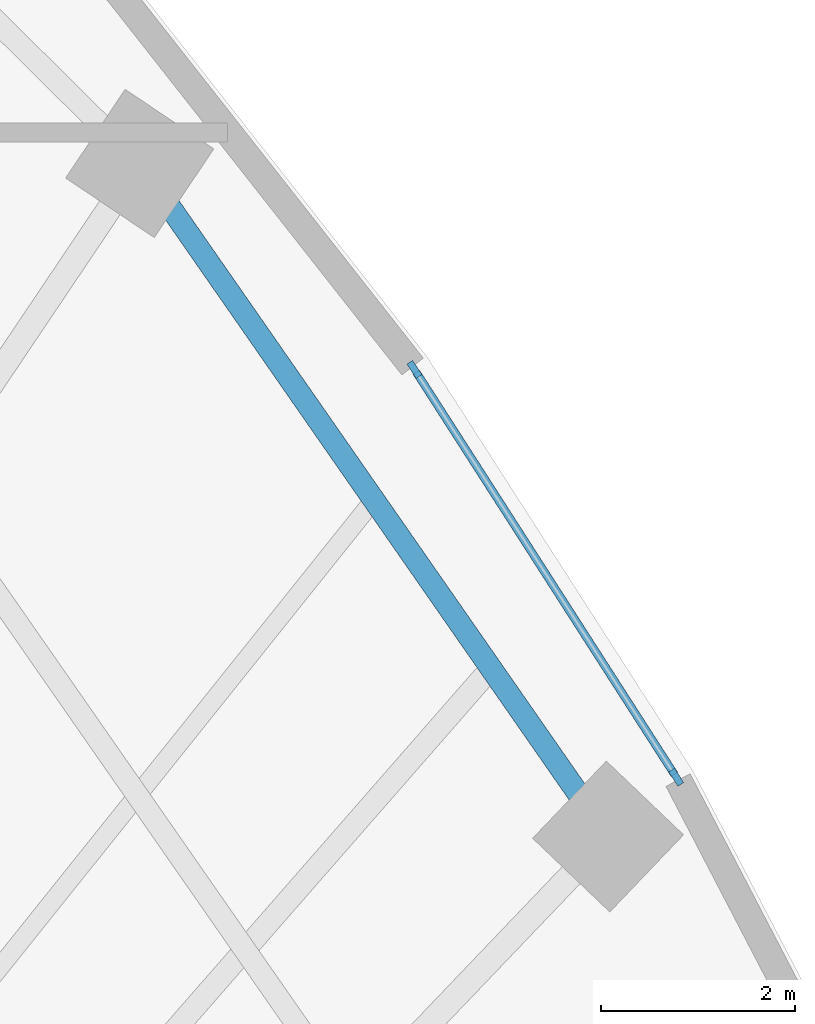
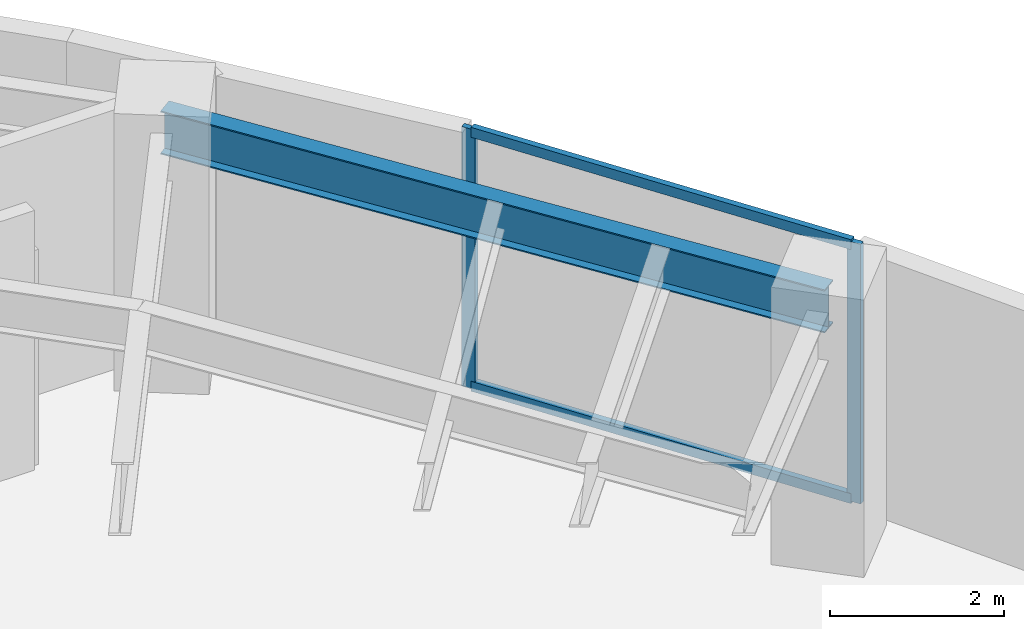
# One storey, part 6 of 13: 4 members, 1 beam, 1 element without a shape of its own.
"""IFC4 building model written with IfcOpenShell, lengths in metres."""

from ifc_helpers import new_model, si_unit, direction, frame, origin, origin_2d, place, context, subcontext, project, spatial, rectangle, i_section, extrude, source, transform, mapped, material, layer, layer_set, material_profile, profile_set, type_object, element, aggregate, save


model = new_model("IFC4")

# Units and contexts
model_context = context("Model", 3, precision=1e-05, world=origin(), true_north=direction((0.0, 1.0)))
body_context = subcontext(model_context, "Body", "Model", "MODEL_VIEW")
ifc_project = project(units=[si_unit("LENGTHUNIT", "METRE"), si_unit("AREAUNIT", "SQUARE_METRE"), si_unit("VOLUMEUNIT", "CUBIC_METRE"), si_unit("PLANEANGLEUNIT", "RADIAN"), si_unit("MASSUNIT", "GRAM", prefix="KILO")], contexts=[model_context])

# Site, building, storey
site_placement = place(None, origin())
site = spatial("IfcSite", under=ifc_project, at=site_placement, CompositionType="ELEMENT")
building_placement = place(site_placement, origin())
building = spatial("IfcBuilding", under=site, at=building_placement, Name="Breltana Convention Tower", CompositionType="ELEMENT")
storey_placement = place(building_placement, frame((0.0, 0.0, 162.300048828125)))
storey = spatial("IfcBuildingStorey", under=building, at=storey_placement, Name="L39", CompositionType="ELEMENT", Elevation=162.300048828125)

# Beam
ifc_material_1 = material(Name="Steel ASTM A992 Grade 50", Category="steel")
ifc_material_profile_1 = material_profile(ifc_material_1, i_section(OverallWidth=0.22802734375, OverallDepth=0.60791015625, WebThickness=0.01123046875, FlangeThickness=0.017333984375, at=origin_2d()), Name="W24X76")
ifc_profile_set_1 = profile_set([ifc_material_profile_1], Name="Steel ASTM A992 Grade 50")
beam_type = type_object("IfcBeamType", Name="BM-SP-W24X76", PredefinedType="SPANDREL", material=ifc_profile_set_1)
shared_shape_1 = source(origin(), body_context, "Body", "SweptSolid", [
    extrude(i_section(OverallWidth=0.22802734375, OverallDepth=0.60791015625, WebThickness=0.01123046875, FlangeThickness=0.017333984375, at=origin_2d()), origin(), (0.0, 0.0, 1.0), 8.44970703125),
])
beam_placement = place(storey_placement, frame((75.166748046875, 62.43017578125, 3.345947265625), z_axis=(0.5711855381, -0.820820979913, 0.0), x_axis=(0.820820979913, 0.5711855381, 0.0)))
element("IfcBeam", 1, at=beam_placement, inside=storey, type_object=beam_type, Name="L39 Outer Spandrel Beam 10", PredefinedType="SPANDREL", context=body_context, shape_type="MappedRepresentation", body=[
    mapped(shared_shape_1, transform((0.0, 0.0, 0.0), scale=1.0)),
])

# Curtain wall, members
ifc_material_2 = material(Name="Aluminium Anodised Bronze Frame", Category="aluminium")
ifc_layer = layer(ifc_material_2, 0.2099609375, Name="Aluminium Anodised Bronze Frame")
ifc_layer_set = layer_set([ifc_layer], Name="Aluminium Anodised Bronze Frame")
curtain_wall_type = type_object("IfcCurtainWallType", Name="CW-SYS-3", PredefinedType="NOTDEFINED", material=ifc_layer_set)
curtain_wall_placement = place(storey_placement, origin())
curtain_wall = element("IfcCurtainWall", 2, at=curtain_wall_placement, inside=storey, type_object=curtain_wall_type, Name="L39 outer double-skin inner glazing 5", PredefinedType="NOTDEFINED")
ifc_material_3 = material(Name="Aluminium Anodised Bronze", Category="aluminium")
ifc_material_profile_2 = material_profile(ifc_material_3, rectangle(XDim=0.070068359375, YDim=0.175048828125, at=origin_2d()), Name="CWM-70X175")
ifc_profile_set_2 = profile_set([ifc_material_profile_2], Name="Aluminium Anodised Bronze")
member_type_1 = type_object("IfcMemberType", Name="CWM-175", PredefinedType="MULLION", material=ifc_profile_set_2)
shared_shape_2 = source(origin(), body_context, "Body", "SweptSolid", [
    extrude(rectangle(XDim=0.070068359375, YDim=0.175048828125, at=origin_2d()), origin(), (0.0, 0.0, 1.0), 3.64990234375),
])
member_1_placement = place(storey_placement, frame((77.99755859375, 60.308349609375, 0.0), z_axis=(0.0, 0.0, 1.0), x_axis=(0.841554203529, 0.54017267843, 0.0)))
member_1 = element("IfcMember", 3, at=member_1_placement, type_object=member_type_1, Name="CW-03 mullion 1", PredefinedType="MULLION", context=body_context, shape_type="MappedRepresentation", body=[
    mapped(shared_shape_2, transform((0.0, 0.0, 0.0), scale=1.0)),
])
member_2_placement = place(storey_placement, frame((80.695556640625, 56.10498046875, 0.0), z_axis=(0.0, 0.0, 1.0), x_axis=(0.841554203529, 0.54017267843, 0.0)))
member_2 = element("IfcMember", 4, at=member_2_placement, type_object=member_type_1, Name="CW-03 mullion 2", PredefinedType="MULLION", context=body_context, shape_type="MappedRepresentation", body=[
    mapped(shared_shape_2, transform((0.0, 0.0, 0.0), scale=1.0)),
])
ifc_material_profile_3 = material_profile(ifc_material_3, rectangle(XDim=0.080078125, YDim=0.139892578125, at=origin_2d()), Name="CWT-80X140")
ifc_profile_set_3 = profile_set([ifc_material_profile_3], Name="Aluminium Anodised Bronze")
member_type_2 = type_object("IfcMemberType", Name="CWT-140", PredefinedType="USERDEFINED", material=ifc_profile_set_3)
shared_shape_3 = source(origin(), body_context, "Body", "SweptSolid", [
    extrude(rectangle(XDim=0.080078125, YDim=0.139892578125, at=origin_2d()), origin(), (0.0, 0.0, 1.0), 4.924560546875),
])
member_3_placement = place(storey_placement, frame((78.0166015625, 60.27880859375, 0.0400390625), z_axis=(0.540178660563, -0.841550363717, 0.0), x_axis=(0.841550363717, 0.540178660563, 0.0)))
member_3 = element("IfcMember", 5, at=member_3_placement, type_object=member_type_2, Name="CW-03 transom 1.1", ObjectType="TRANSOM", PredefinedType="USERDEFINED", context=body_context, shape_type="MappedRepresentation", body=[
    mapped(shared_shape_3, transform((0.0, 0.0, 0.0), scale=1.0)),
])
member_4_placement = place(storey_placement, frame((78.0166015625, 60.27880859375, 3.60986328125), z_axis=(0.540178660563, -0.841550363717, 0.0), x_axis=(0.841550363717, 0.540178660563, 0.0)))
member_4 = element("IfcMember", 6, at=member_4_placement, type_object=member_type_2, Name="CW-03 transom 1.2", ObjectType="TRANSOM", PredefinedType="USERDEFINED", context=body_context, shape_type="MappedRepresentation", body=[
    mapped(shared_shape_3, transform((0.0, 0.0, 0.0), scale=1.0)),
])
aggregate(curtain_wall, [member_1, member_2, member_3, member_4])

save(model, "model.ifc")
